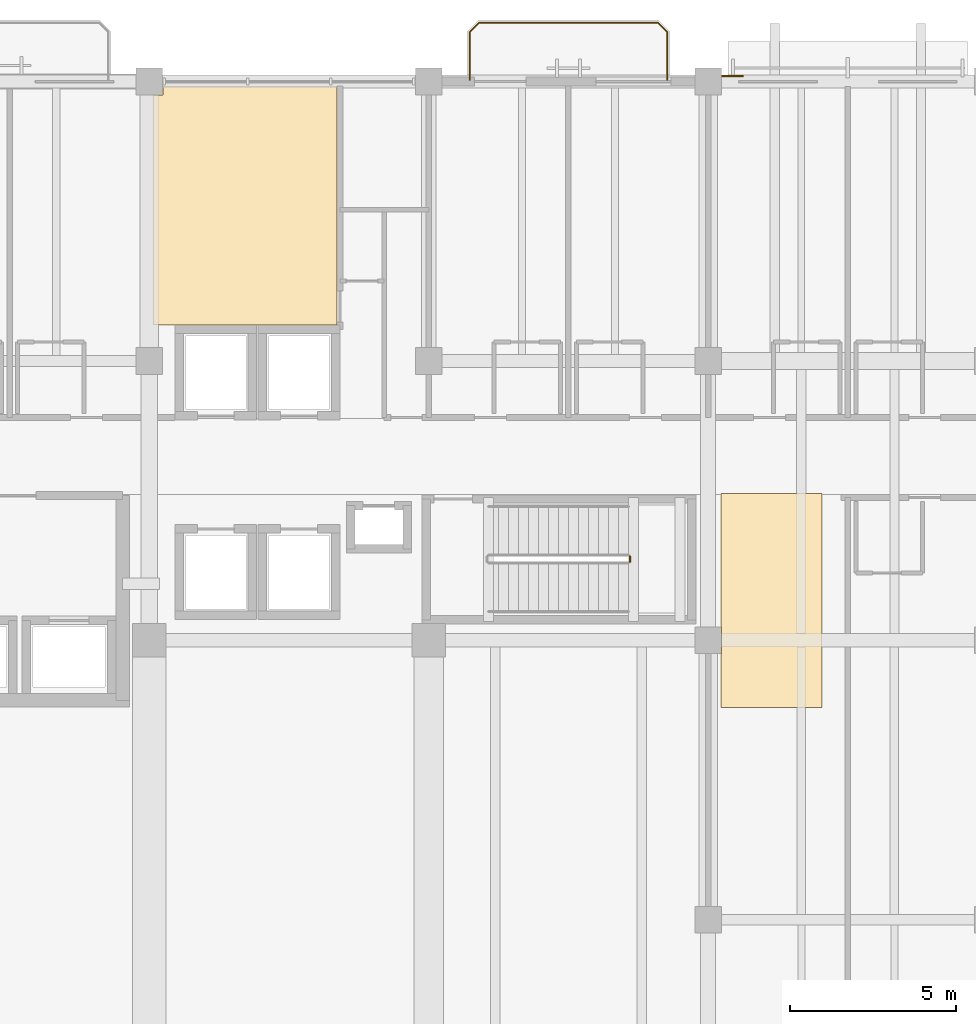
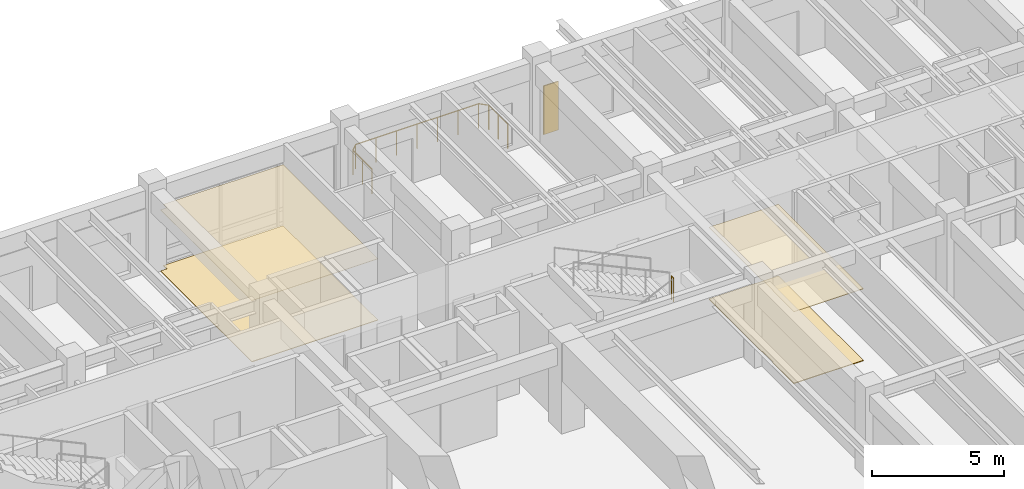
# One storey, part 118 of 132: 5 coverings, 2 railings.
"""IFC4 building model written with IfcOpenShell, lengths in metres."""

from ifc_helpers import new_model, si_unit, direction, frame, origin, origin_2d, place, context, subcontext, project, spatial, polyline, circle, outline, extrude, material, layer, layer_set, type_object, element, save


model = new_model("IFC4")

# Units and contexts
model_context = context("Model", 3, precision=1e-05, world=origin(), true_north=direction((0.0, 1.0)))
body_context = subcontext(model_context, "Body", "Model", "MODEL_VIEW")
ifc_project = project(units=[si_unit("LENGTHUNIT", "METRE"), si_unit("AREAUNIT", "SQUARE_METRE"), si_unit("VOLUMEUNIT", "CUBIC_METRE"), si_unit("PLANEANGLEUNIT", "RADIAN"), si_unit("MASSUNIT", "GRAM", prefix="KILO")], contexts=[model_context])

# Site, building, storey
site_placement = place(None, origin())
site = spatial("IfcSite", under=ifc_project, at=site_placement, CompositionType="ELEMENT")
building_placement = place(site_placement, origin())
building = spatial("IfcBuilding", under=site, at=building_placement, Name="Cumbredor Promenade Congress Hotel", CompositionType="ELEMENT")
storey_placement = place(building_placement, frame((0.0, 0.0, 7.56005859375)))
storey = spatial("IfcBuildingStorey", under=building, at=storey_placement, Name="L02", CompositionType="ELEMENT", Elevation=7.56005859375)

# Coverings
ifc_material_1 = material(Name="Acoustic mineral-fiber and gypsum ceiling")
ifc_layer_1 = layer(ifc_material_1, 0.01806640625, Name="Acoustic mineral-fiber and gypsum ceiling")
ifc_layer_set_1 = layer_set([ifc_layer_1], Name="Acoustic mineral-fiber and gypsum ceiling")
covering_type_1 = type_object("IfcCoveringType", Name="Acoustic Perforated Gypsum Ceiling CLG-01 18mm", PredefinedType="CEILING", material=ifc_layer_set_1)
covering_1_placement = place(storey_placement, frame((0.0, 0.0, 2.8330078125)))
element("IfcCovering", 1, at=covering_1_placement, inside=storey, type_object=covering_type_1, Name="L02 Cordillera Reading Salon Acoustic Ceiling", PredefinedType="CEILING", context=body_context, shape_type="SweptSolid", body=[
    extrude(outline(polyline([(39.239990234375, 117.4599609375), (39.239990234375, 110.280029296875), (33.72998046875, 110.280029296875), (33.72998046875, 117.195068359375), (34.0048828125, 117.195068359375), (34.0048828125, 117.4599609375), (39.239990234375, 117.4599609375)])), origin(), (0.0, 0.0, 1.0), 0.017822265625),
])
ifc_layer_2 = layer(ifc_material_1, 0.02197265625, Name="Acoustic mineral-fiber and gypsum ceiling")
ifc_layer_set_2 = layer_set([ifc_layer_2], Name="Acoustic mineral-fiber and gypsum ceiling")
covering_type_2 = type_object("IfcCoveringType", Name="Acoustic Perforated Gypsum Ceiling CLG-02 22mm", PredefinedType="CEILING", material=ifc_layer_set_2)
covering_2_placement = place(storey_placement, frame((0.0, 0.0, 3.31591796875)))
element("IfcCovering", 2, at=covering_2_placement, inside=storey, type_object=covering_type_2, Name="L02 Ballroom Corridor Vestibule Acoustic Ceiling", PredefinedType="CEILING", context=body_context, shape_type="SweptSolid", body=[
    extrude(outline(polyline([(53.820068359375, 105.219970703125), (53.820068359375, 98.780029296875), (50.780029296875, 98.780029296875), (50.780029296875, 100.39501953125), (50.804931640625, 100.39501953125), (50.804931640625, 101.205078125), (50.780029296875, 101.205078125), (50.780029296875, 105.219970703125), (53.820068359375, 105.219970703125)])), origin(), (0.0, 0.0, 1.0), 0.02197265625),
])
ifc_material_2 = material(Name="Precast concrete C40/50", Category="concrete")
ifc_layer_3 = layer(ifc_material_2, 0.044921875, Name="Precast concrete C40/50", Category="concrete")
ifc_layer_set_3 = layer_set([ifc_layer_3], Name="Precast concrete C40/50")
covering_type_3 = type_object("IfcCoveringType", Name="Board-Formed Architectural Cladding Panel 45mm", PredefinedType="CLADDING", material=ifc_layer_set_3)
covering_3_placement = place(storey_placement, origin())
element("IfcCovering", 3, at=covering_3_placement, inside=storey, type_object=covering_type_3, Name="L02 Facade Stone Cladding Pier 126", PredefinedType="CLADDING", context=body_context, shape_type="SweptSolid", body=[
    extrude(outline(polyline([(50.801025390625, 117.75), (51.450927734375, 117.75), (51.450927734375, 117.794921875), (50.801025390625, 117.794921875), (50.801025390625, 117.75)])), origin(), (0.0, 0.0, 1.0), 2.25),
])

# Railing
ifc_material_3 = material(Name="Brushed stainless steel", Category="steel")
railing_type_1 = type_object("IfcRailingType", Name="Interior Void & Stair Guardrail GR-1100", PredefinedType="GUARDRAIL", material=ifc_material_3)
railing_1_placement = place(storey_placement, frame((48.050048828125, 103.169921875, 2.099853515625)))
element("IfcRailing", 4, at=railing_1_placement, inside=storey, type_object=railing_type_1, Name="L02 ST-03 stair guard 2", PredefinedType="GUARDRAIL", context=body_context, shape_type="SweptSolid", body=[
    extrude(circle(Radius=0.02392578125, at=origin_2d()), frame((0.0, 0.0, 1.09619140625), z_axis=(0.0, 1.0, 0.0), x_axis=(-1.0, 0.0, 0.0)), (0.0, 0.0, 1.0), 0.150146484375),
    extrude(circle(Radius=0.02099609375, at=origin_2d()), origin(), (0.0, 0.0, 1.0), 1.072021484375),
    extrude(circle(Radius=0.02099609375, at=origin_2d()), frame((0.0, 0.150146484375, 0.0)), (0.0, 0.0, 1.0), 1.072021484375),
])

# Coverings
ifc_material_4 = material(Name="Porcelain stoneware tile", Category="masonry")
ifc_layer_4 = layer(ifc_material_4, 0.02490234375, Name="Porcelain stoneware tile", Category="masonry")
ifc_layer_set_4 = layer_set([ifc_layer_4], Name="Porcelain stoneware tile")
covering_type_4 = type_object("IfcCoveringType", Name="Porcelain Stoneware Flooring FLR-02 25mm", PredefinedType="FLOORING", material=ifc_layer_set_4)
covering_4_placement = place(storey_placement, origin())
element("IfcCovering", 5, at=covering_4_placement, inside=storey, type_object=covering_type_4, Name="L02 Cordillera Reading Salon Porcelain Flooring", PredefinedType="FLOORING", context=body_context, shape_type="SweptSolid", body=[
    extrude(outline(polyline([(39.239990234375, 117.4599609375), (39.239990234375, 110.280029296875), (33.72998046875, 110.280029296875), (33.72998046875, 117.195068359375), (34.0048828125, 117.195068359375), (34.0048828125, 117.4599609375), (39.239990234375, 117.4599609375)])), origin(), (0.0, 0.0, 1.0), 0.02490234375),
])
ifc_layer_5 = layer(ifc_material_4, 0.030029296875, Name="Porcelain stoneware tile", Category="masonry")
ifc_layer_set_5 = layer_set([ifc_layer_5], Name="Porcelain stoneware tile")
covering_type_5 = type_object("IfcCoveringType", Name="Porcelain Stoneware Flooring FLR-03 30mm", PredefinedType="FLOORING", material=ifc_layer_set_5)
covering_5_placement = place(storey_placement, origin())
element("IfcCovering", 6, at=covering_5_placement, inside=storey, type_object=covering_type_5, Name="L02 Ballroom Corridor Vestibule Porcelain Flooring", PredefinedType="FLOORING", context=body_context, shape_type="SweptSolid", body=[
    extrude(outline(polyline([(53.820068359375, 105.219970703125), (53.820068359375, 98.780029296875), (50.780029296875, 98.780029296875), (50.780029296875, 100.39501953125), (50.804931640625, 100.39501953125), (50.804931640625, 101.205078125), (50.780029296875, 101.205078125), (50.780029296875, 105.219970703125), (53.820068359375, 105.219970703125)])), origin(), (0.0, 0.0, 1.0), 0.030029296875),
])

# Railing
railing_type_2 = type_object("IfcRailingType", Name="Sky Garden Glass-and-Steel Balustrade BAL-1150", PredefinedType="BALUSTRADE", material=ifc_material_3)
railing_2_placement = place(storey_placement, frame((43.22998046875, 117.64990234375, 0.0)))
element("IfcRailing", 7, at=railing_2_placement, inside=storey, type_object=railing_type_2, Name="L02 Veranda Balcony Balustrade 006", PredefinedType="BALUSTRADE", context=body_context, shape_type="SweptSolid", body=[
    extrude(circle(Radius=0.02392578125, at=origin_2d()), frame((0.0, 0.0, 1.1259765625), z_axis=(0.0, 1.0, 0.0), x_axis=(-1.0, 0.0, 0.0)), (0.0, 0.0, 1.0), 1.440185546875),
    extrude(circle(Radius=0.02392578125, at=origin_2d()), frame((0.0, 1.440185546875, 1.1259765625), z_axis=(0.707106781187, 0.707106781187, 0.0), x_axis=(-0.707106781187, 0.707106781187, 0.0)), (0.0, 0.0, 1.0), 0.39599609375),
    extrude(circle(Radius=0.02392578125, at=origin_2d()), frame((0.280029296875, 1.72021484375, 1.1259765625), z_axis=(1.0, 0.0, 0.0), x_axis=(0.0, 1.0, 0.0)), (0.0, 0.0, 1.0), 5.3798828125),
    extrude(circle(Radius=0.02392578125, at=origin_2d()), frame((5.659912109375, 1.72021484375, 1.1259765625), z_axis=(0.707106781187, -0.707106781187, 0.0), x_axis=(0.707106781187, 0.707106781187, 0.0)), (0.0, 0.0, 1.0), 0.39599609375),
    extrude(circle(Radius=0.02392578125, at=origin_2d()), frame((5.93994140625, 1.440185546875, 1.1259765625), z_axis=(0.0, -1.0, 0.0), x_axis=(1.0, 0.0, 0.0)), (0.0, 0.0, 1.0), 1.440185546875),
    extrude(circle(Radius=0.02099609375, at=origin_2d()), origin(), (0.0, 0.0, 1.0), 1.101806640625),
    extrude(circle(Radius=0.02099609375, at=origin_2d()), frame((0.0, 0.72021484375, 0.0)), (0.0, 0.0, 1.0), 1.101806640625),
    extrude(circle(Radius=0.02099609375, at=origin_2d()), frame((0.0, 1.440185546875, 0.0)), (0.0, 0.0, 1.0), 1.101806640625),
    extrude(circle(Radius=0.02099609375, at=origin_2d()), frame((0.280029296875, 1.72021484375, 0.0)), (0.0, 0.0, 1.0), 1.101806640625),
    extrude(circle(Radius=0.02099609375, at=origin_2d()), frame((1.1767578125, 1.72021484375, 0.0)), (0.0, 0.0, 1.0), 1.101806640625),
    extrude(circle(Radius=0.02099609375, at=origin_2d()), frame((2.0732421875, 1.72021484375, 0.0)), (0.0, 0.0, 1.0), 1.101806640625),
    extrude(circle(Radius=0.02099609375, at=origin_2d()), frame((2.969970703125, 1.72021484375, 0.0)), (0.0, 0.0, 1.0), 1.101806640625),
    extrude(circle(Radius=0.02099609375, at=origin_2d()), frame((3.86669921875, 1.72021484375, 0.0)), (0.0, 0.0, 1.0), 1.101806640625),
    extrude(circle(Radius=0.02099609375, at=origin_2d()), frame((4.76318359375, 1.72021484375, 0.0)), (0.0, 0.0, 1.0), 1.101806640625),
    extrude(circle(Radius=0.02099609375, at=origin_2d()), frame((5.659912109375, 1.72021484375, 0.0)), (0.0, 0.0, 1.0), 1.101806640625),
    extrude(circle(Radius=0.02099609375, at=origin_2d()), frame((5.93994140625, 1.440185546875, 0.0)), (0.0, 0.0, 1.0), 1.101806640625),
    extrude(circle(Radius=0.02099609375, at=origin_2d()), frame((5.93994140625, 0.72021484375, 0.0)), (0.0, 0.0, 1.0), 1.101806640625),
    extrude(circle(Radius=0.02099609375, at=origin_2d()), frame((5.93994140625, 0.0, 0.0)), (0.0, 0.0, 1.0), 1.101806640625),
])

save(model, "model.ifc")
